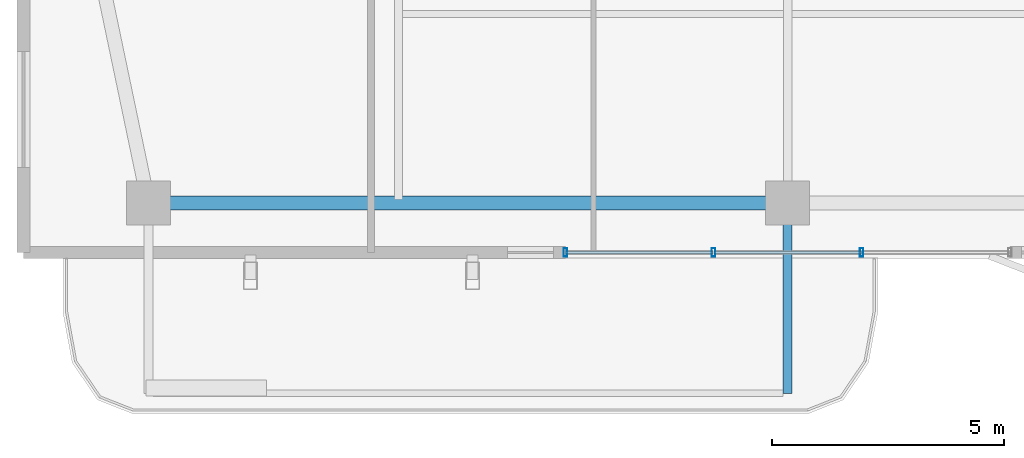
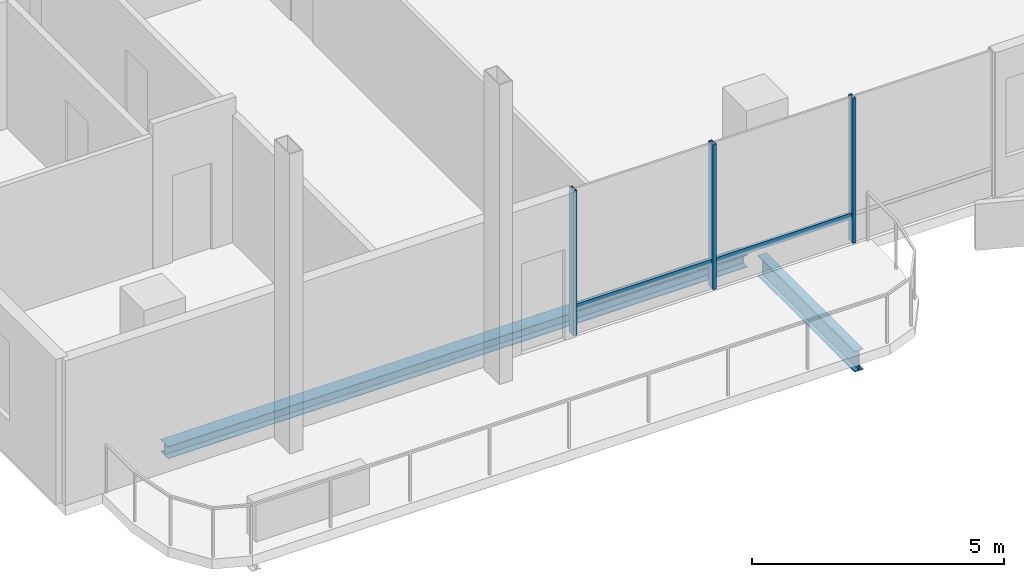
# One storey, part 3 of 20: 5 members, 2 beams, 1 element without a shape of its own.
"""IFC4 building model written with IfcOpenShell, lengths in metres."""

from ifc_helpers import new_model, si_unit, direction, frame, origin, origin_2d, place, context, subcontext, project, spatial, hollow_rectangle, i_section, extrude, material, layer, layer_set, material_profile, profile_set, type_object, element, aggregate, save


model = new_model("IFC4")

# Units and contexts
model_context = context("Model", 3, precision=1e-05, world=origin(), true_north=direction((0.0, 1.0)))
body_context = subcontext(model_context, "Body", "Model", "MODEL_VIEW")
ifc_project = project(units=[si_unit("LENGTHUNIT", "METRE"), si_unit("AREAUNIT", "SQUARE_METRE"), si_unit("VOLUMEUNIT", "CUBIC_METRE"), si_unit("PLANEANGLEUNIT", "RADIAN"), si_unit("MASSUNIT", "GRAM", prefix="KILO")], contexts=[model_context])

# Site, building, storey
site_placement = place(None, origin())
site = spatial("IfcSite", under=ifc_project, at=site_placement, CompositionType="ELEMENT")
building_placement = place(site_placement, origin())
building = spatial("IfcBuilding", under=site, at=building_placement, Name="Belovzor Exchange Tower", CompositionType="ELEMENT")
storey_placement = place(building_placement, frame((0.0, 0.0, 314.25)))
storey = spatial("IfcBuildingStorey", under=building, at=storey_placement, Name="L78", CompositionType="ELEMENT", Elevation=314.25)

# Beam
ifc_material_1 = material(Name="Steel S355", Category="steel")
ifc_material_profile_1 = material_profile(ifc_material_1, i_section(OverallWidth=0.199951171875, OverallDepth=0.5, WebThickness=0.01025390625, FlangeThickness=0.01611328125, at=origin_2d()))
ifc_profile_set_1 = profile_set([ifc_material_profile_1], Name="Steel S355")
beam_type_1 = type_object("IfcBeamType", Name="Planted Balcony Cantilever Beam IPE 500", PredefinedType="BEAM", material=ifc_profile_set_1)
beam_1_placement = place(storey_placement, frame((28.800048828125, 6.93896484375, -0.489990234375), z_axis=(0.0, -1.0, 0.0), x_axis=(1.0, 0.0, 0.0)))
element("IfcBeam", 1, at=beam_1_placement, inside=storey, type_object=beam_type_1, Name="BC-500 Planted Balcony Cantilever Beam IPE 500", PredefinedType="BEAM", context=body_context, shape_type="SweptSolid", body=[
    extrude(i_section(OverallWidth=0.199951171875, OverallDepth=0.5, WebThickness=0.01025390625, FlangeThickness=0.01611328125, at=origin_2d()), origin(), (0.0, 0.0, 1.0), 3.849853515625),
])

# Curtain wall, members
ifc_material_2 = material(Name="Anodised Aluminium Framing", Category="aluminium")
ifc_layer = layer(ifc_material_2, 0.179931640625)
ifc_layer_set = layer_set([ifc_layer], Name="Anodised Aluminium Framing")
curtain_wall_type = type_object("IfcCurtainWallType", Name="Recessed Loggia Low-Iron Triple-Glazed Curtain Wall", PredefinedType="NOTDEFINED", material=ifc_layer_set)
curtain_wall_placement = place(storey_placement, origin())
curtain_wall = element("IfcCurtainWall", 2, at=curtain_wall_placement, inside=storey, type_object=curtain_wall_type, Name="CW3 Recessed Loggia Low-Iron Triple-Glazed Curtain Wall L78", PredefinedType="NOTDEFINED")
ifc_material_3 = material(Name="Steel S355", Category="steel")
ifc_material_profile_2 = material_profile(ifc_material_3, hollow_rectangle(XDim=0.074951171875, YDim=0.179931640625, WallThickness=0.0048828125, at=origin_2d()))
ifc_profile_set_2 = profile_set([ifc_material_profile_2], Name="Steel S355")
member_type_1 = type_object("IfcMemberType", Name="Thermally Broken Curtain Wall Mullion 180x75", PredefinedType="MULLION", material=ifc_profile_set_2)
member_1_placement = place(storey_placement, frame((30.39990234375, 6.1298828125, 0.0), z_axis=(0.0, 0.0, 1.0), x_axis=(-1.0, 0.0, 0.0)))
member_1 = element("IfcMember", 3, at=member_1_placement, type_object=member_type_1, Name="CW-M180 Curtain Wall Mullion 2", PredefinedType="MULLION", context=body_context, shape_type="SweptSolid", body=[
    extrude(hollow_rectangle(XDim=0.074951171875, YDim=0.179931640625, WallThickness=0.0048828125, at=origin_2d()), origin(), (0.0, 0.0, 1.0), 3.510009765625),
])
member_2_placement = place(storey_placement, frame((27.199951171875, 6.1298828125, 0.0), z_axis=(0.0, 0.0, 1.0), x_axis=(-1.0, 0.0, 0.0)))
member_2 = element("IfcMember", 4, at=member_2_placement, type_object=member_type_1, Name="CW-M180 Curtain Wall Mullion 3", PredefinedType="MULLION", context=body_context, shape_type="SweptSolid", body=[
    extrude(hollow_rectangle(XDim=0.074951171875, YDim=0.179931640625, WallThickness=0.0048828125, at=origin_2d()), origin(), (0.0, 0.0, 1.0), 3.510009765625),
])
member_3_placement = place(storey_placement, frame((24.0, 6.1298828125, 0.0), z_axis=(0.0, 0.0, 1.0), x_axis=(-1.0, 0.0, 0.0)))
member_3 = element("IfcMember", 5, at=member_3_placement, type_object=member_type_1, Name="CW-M180 Curtain Wall Mullion 4", PredefinedType="MULLION", context=body_context, shape_type="SweptSolid", body=[
    extrude(hollow_rectangle(XDim=0.074951171875, YDim=0.179931640625, WallThickness=0.0048828125, at=origin_2d()), origin(), (0.0, 0.0, 1.0), 3.510009765625),
])
ifc_material_4 = material(Name="Steel S355", Category="steel")
ifc_material_profile_3 = material_profile(ifc_material_4, hollow_rectangle(XDim=0.06005859375, YDim=0.14990234375, WallThickness=0.00390625, at=origin_2d()))
ifc_profile_set_3 = profile_set([ifc_material_profile_3], Name="Steel S355")
member_type_2 = type_object("IfcMemberType", Name="Thermally Broken Curtain Wall Transom 150x60", PredefinedType="USERDEFINED", material=ifc_profile_set_3)
member_4_placement = place(storey_placement, frame((30.39208984375, 6.1298828125, 0.632080078125), z_axis=(-1.0, 0.0, 0.0), x_axis=(0.0, -1.0, 0.0)))
member_4 = element("IfcMember", 6, at=member_4_placement, type_object=member_type_2, Name="CW-T150 Curtain Wall Transom 2", ObjectType="TRANSOM", PredefinedType="USERDEFINED", context=body_context, shape_type="SweptSolid", body=[
    extrude(hollow_rectangle(XDim=0.06005859375, YDim=0.14990234375, WallThickness=0.00390625, at=origin_2d()), origin(), (0.0, 0.0, 1.0), 3.18408203125),
])
member_5_placement = place(storey_placement, frame((27.19189453125, 6.1298828125, 0.632080078125), z_axis=(-1.0, 0.0, 0.0), x_axis=(0.0, -1.0, 0.0)))
member_5 = element("IfcMember", 7, at=member_5_placement, type_object=member_type_2, Name="CW-T150 Curtain Wall Transom 3", ObjectType="TRANSOM", PredefinedType="USERDEFINED", context=body_context, shape_type="SweptSolid", body=[
    extrude(hollow_rectangle(XDim=0.06005859375, YDim=0.14990234375, WallThickness=0.00390625, at=origin_2d()), origin(), (0.0, 0.0, 1.0), 3.183837890625),
])
aggregate(curtain_wall, [member_1, member_2, member_3, member_4, member_5])

# Beam
ifc_material_5 = material(Name="Steel S355", Category="steel")
ifc_material_profile_4 = material_profile(ifc_material_5, i_section(OverallWidth=0.300048828125, OverallDepth=0.300048828125, WebThickness=0.008544921875, FlangeThickness=0.013916015625, at=origin_2d()))
ifc_profile_set_4 = profile_set([ifc_material_profile_4], Name="Steel S355")
beam_type_2 = type_object("IfcBeamType", Name="Zone 6 Primary Girder HEA 300", PredefinedType="BEAM", material=ifc_profile_set_4)
beam_2_placement = place(storey_placement, frame((15.260986328125, 7.199951171875, -0.389892578125), z_axis=(1.0, 0.0, 0.0), x_axis=(0.0, 1.0, 0.0)))
element("IfcBeam", 8, at=beam_2_placement, inside=storey, type_object=beam_type_2, Name="FG-Z6 Zone 6 Primary Girder HEA 300", PredefinedType="BEAM", context=body_context, shape_type="SweptSolid", body=[
    extrude(i_section(OverallWidth=0.300048828125, OverallDepth=0.300048828125, WebThickness=0.008544921875, FlangeThickness=0.013916015625, at=origin_2d()), origin(), (0.0, 0.0, 1.0), 13.278076171875),
])

save(model, "model.ifc")
